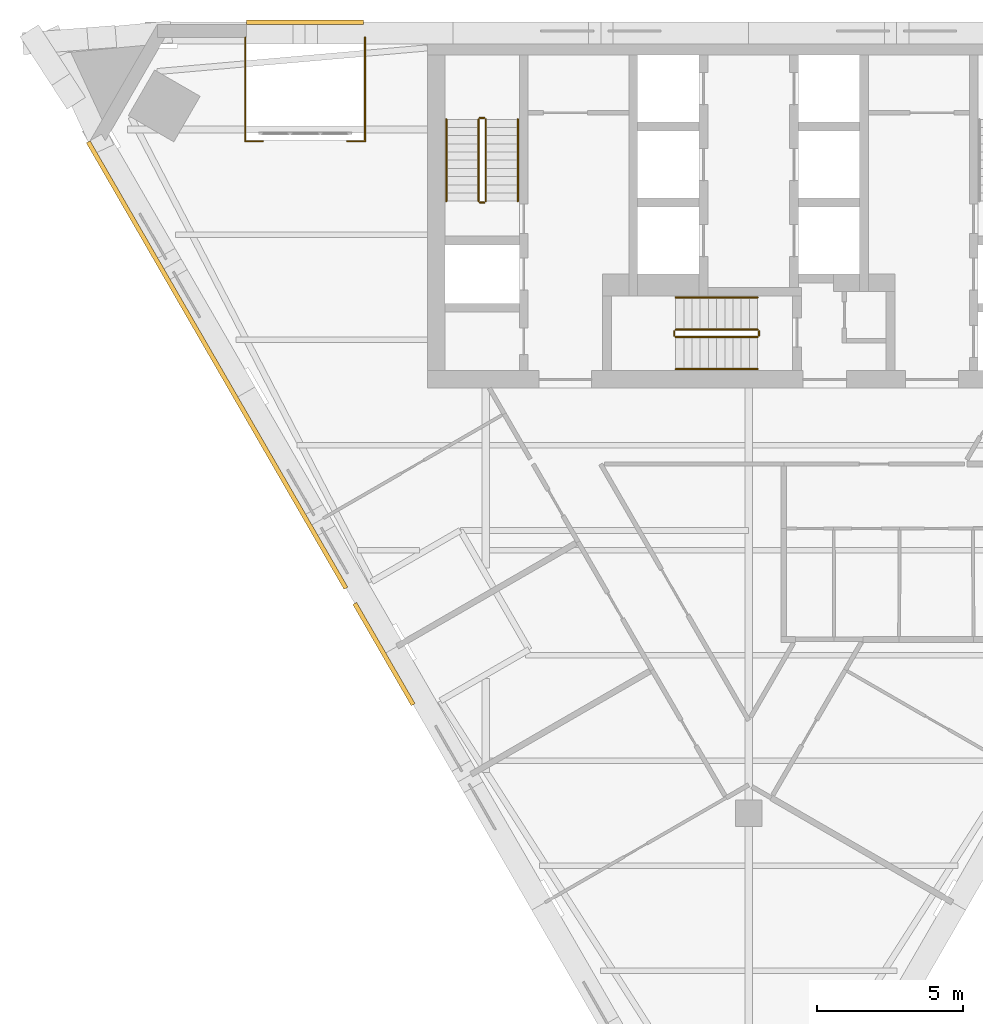
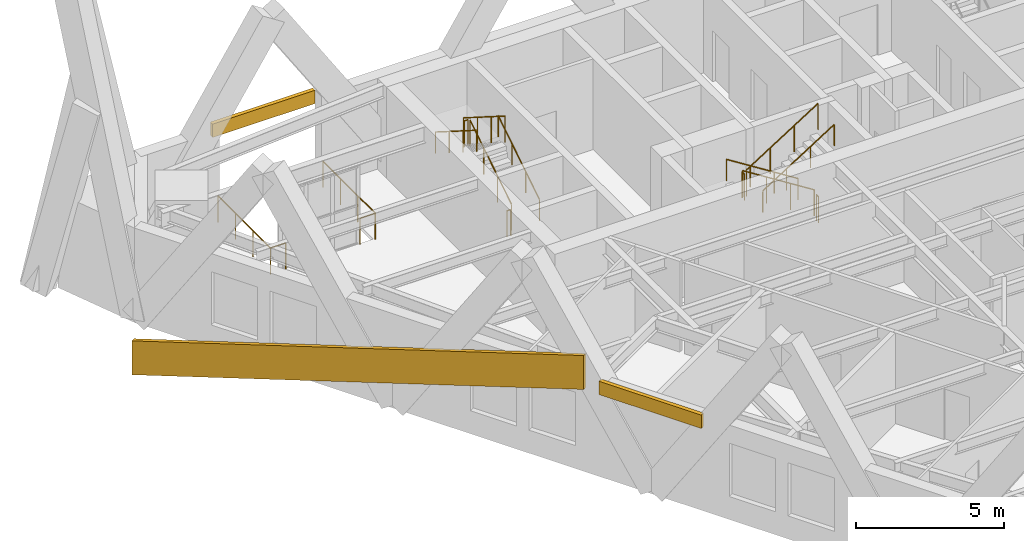
# One storey, part 8 of 9: 14 railings, 3 coverings.
"""IFC4 building model written with IfcOpenShell, lengths in metres."""

from ifc_helpers import new_model, si_unit, direction, frame, origin, origin_2d, place, context, subcontext, project, spatial, polyline, circle, outline, extrude, material, layer, layer_set, type_object, element, save


model = new_model("IFC4")

# Units and contexts
model_context = context("Model", 3, precision=1e-05, world=origin(), true_north=direction((0.0, 1.0)))
body_context = subcontext(model_context, "Body", "Model", "MODEL_VIEW")
ifc_project = project(units=[si_unit("LENGTHUNIT", "METRE"), si_unit("AREAUNIT", "SQUARE_METRE"), si_unit("VOLUMEUNIT", "CUBIC_METRE"), si_unit("PLANEANGLEUNIT", "RADIAN"), si_unit("MASSUNIT", "GRAM", prefix="KILO")], contexts=[model_context])

# Site, building, storey
site_placement = place(None, origin())
site = spatial("IfcSite", under=ifc_project, at=site_placement, CompositionType="ELEMENT")
building_placement = place(site_placement, origin())
building = spatial("IfcBuilding", under=site, at=building_placement, Name="Aloe Facet Convention Tower", CompositionType="ELEMENT")
storey_placement = place(building_placement, frame((0.0, 0.0, 144.199951171875)))
storey = spatial("IfcBuildingStorey", under=building, at=storey_placement, Name="L36", CompositionType="ELEMENT", Elevation=144.199951171875)

# Railings
ifc_material_1 = material(Name="Steel S355 balustrade", Category="steel")
railing_type_1 = type_object("IfcRailingType", Name="CR-RL-GUARD", PredefinedType="GUARDRAIL", material=ifc_material_1)
railing_1_placement = place(storey_placement, frame((71.0, 128.949951171875, 0.17724609375)))
element("IfcRailing", 1, at=railing_1_placement, inside=storey, type_object=railing_type_1, Name="L36 ST1 stair guard 1", PredefinedType="GUARDRAIL", context=body_context, shape_type="SweptSolid", body=[
    extrude(circle(Radius=0.02392578125, at=origin_2d()), frame((0.0, 0.0, 1.076171875), z_axis=(0.0, 0.844908973607, 0.534910110503), x_axis=(-1.0, 0.0, 0.0)), (0.0, 0.0, 1.0), 3.31396484375),
    extrude(circle(Radius=0.02099609375, at=origin_2d()), origin(), (0.0, 0.0, 1.0), 1.052001953125),
    extrude(circle(Radius=0.02099609375, at=origin_2d()), frame((0.0, 0.933349609375, 0.5908203125)), (0.0, 0.0, 1.0), 1.052001953125),
    extrude(circle(Radius=0.02099609375, at=origin_2d()), frame((0.0, 1.86669921875, 1.181884765625)), (0.0, 0.0, 1.0), 1.052001953125),
    extrude(circle(Radius=0.02099609375, at=origin_2d()), frame((0.0, 2.800048828125, 1.772705078125)), (0.0, 0.0, 1.0), 1.052001953125),
])
railing_2_placement = place(storey_placement, frame((70.949951171875, 131.800048828125, 1.949951171875)))
element("IfcRailing", 2, at=railing_2_placement, inside=storey, type_object=railing_type_1, Name="L36 ST1 stair guard 2", PredefinedType="GUARDRAIL", context=body_context, shape_type="SweptSolid", body=[
    extrude(circle(Radius=0.02392578125, at=origin_2d()), frame((0.0, 0.0, 1.076171875), z_axis=(-1.0, 0.0, 0.0), x_axis=(0.0, -1.0, 0.0)), (0.0, 0.0, 1.0), 0.14990234375),
    extrude(circle(Radius=0.02099609375, at=origin_2d()), origin(), (0.0, 0.0, 1.0), 1.052001953125),
    extrude(circle(Radius=0.02099609375, at=origin_2d()), frame((-0.14990234375, 0.0, 0.0)), (0.0, 0.0, 1.0), 1.052001953125),
])
railing_3_placement = place(storey_placement, frame((70.75, 131.75, 2.12744140625)))
element("IfcRailing", 3, at=railing_3_placement, inside=storey, type_object=railing_type_1, Name="L36 ST1 stair guard 3", PredefinedType="GUARDRAIL", context=body_context, shape_type="SweptSolid", body=[
    extrude(circle(Radius=0.02392578125, at=origin_2d()), frame((0.0, 0.0, 1.076171875), z_axis=(0.0, -0.844908973607, 0.534910110503), x_axis=(1.0, 0.0, 0.0)), (0.0, 0.0, 1.0), 3.31396484375),
    extrude(circle(Radius=0.02099609375, at=origin_2d()), origin(), (0.0, 0.0, 1.0), 1.052001953125),
    extrude(circle(Radius=0.02099609375, at=origin_2d()), frame((0.0, -0.933349609375, 0.5908203125)), (0.0, 0.0, 1.0), 1.052001953125),
    extrude(circle(Radius=0.02099609375, at=origin_2d()), frame((0.0, -1.86669921875, 1.181884765625)), (0.0, 0.0, 1.0), 1.052001953125),
    extrude(circle(Radius=0.02099609375, at=origin_2d()), frame((0.0, -2.800048828125, 1.772705078125)), (0.0, 0.0, 1.0), 1.052001953125),
])
railing_4_placement = place(storey_placement, frame((70.949951171875, 128.89990234375, 0.0)))
element("IfcRailing", 4, at=railing_4_placement, inside=storey, type_object=railing_type_1, Name="L36 ST1 stair guard 4", PredefinedType="GUARDRAIL", context=body_context, shape_type="SweptSolid", body=[
    extrude(circle(Radius=0.02392578125, at=origin_2d()), frame((0.0, 0.0, 1.076171875), z_axis=(-1.0, 0.0, 0.0), x_axis=(0.0, -1.0, 0.0)), (0.0, 0.0, 1.0), 0.14990234375),
    extrude(circle(Radius=0.02099609375, at=origin_2d()), origin(), (0.0, 0.0, 1.0), 1.052001953125),
    extrude(circle(Radius=0.02099609375, at=origin_2d()), frame((-0.14990234375, 0.0, 0.0)), (0.0, 0.0, 1.0), 1.052001953125),
])
railing_5_placement = place(storey_placement, frame((80.300048828125, 124.550048828125, 0.17724609375)))
element("IfcRailing", 5, at=railing_5_placement, inside=storey, type_object=railing_type_1, Name="L36 ST3 stair guard 1", PredefinedType="GUARDRAIL", context=body_context, shape_type="SweptSolid", body=[
    extrude(circle(Radius=0.02392578125, at=origin_2d()), frame((0.0, 0.0, 1.076171875), z_axis=(-0.844908973607, 0.0, 0.534910110503), x_axis=(0.0, -1.0, 0.0)), (0.0, 0.0, 1.0), 3.31396484375),
    extrude(circle(Radius=0.02099609375, at=origin_2d()), origin(), (0.0, 0.0, 1.0), 1.052001953125),
    extrude(circle(Radius=0.02099609375, at=origin_2d()), frame((-0.933349609375, 0.0, 0.5908203125)), (0.0, 0.0, 1.0), 1.052001953125),
    extrude(circle(Radius=0.02099609375, at=origin_2d()), frame((-1.86669921875, 0.0, 1.181884765625)), (0.0, 0.0, 1.0), 1.052001953125),
    extrude(circle(Radius=0.02099609375, at=origin_2d()), frame((-2.800048828125, 0.0, 1.772705078125)), (0.0, 0.0, 1.0), 1.052001953125),
])
railing_6_placement = place(storey_placement, frame((77.449951171875, 124.5, 1.949951171875)))
element("IfcRailing", 6, at=railing_6_placement, inside=storey, type_object=railing_type_1, Name="L36 ST3 stair guard 2", PredefinedType="GUARDRAIL", context=body_context, shape_type="SweptSolid", body=[
    extrude(circle(Radius=0.02392578125, at=origin_2d()), frame((0.0, 0.0, 1.076171875), z_axis=(0.0, -1.0, 0.0), x_axis=(1.0, 0.0, 0.0)), (0.0, 0.0, 1.0), 0.14990234375),
    extrude(circle(Radius=0.02099609375, at=origin_2d()), origin(), (0.0, 0.0, 1.0), 1.052001953125),
    extrude(circle(Radius=0.02099609375, at=origin_2d()), frame((0.0, -0.14990234375, 0.0)), (0.0, 0.0, 1.0), 1.052001953125),
])
railing_7_placement = place(storey_placement, frame((77.5, 124.300048828125, 2.12744140625)))
element("IfcRailing", 7, at=railing_7_placement, inside=storey, type_object=railing_type_1, Name="L36 ST3 stair guard 3", PredefinedType="GUARDRAIL", context=body_context, shape_type="SweptSolid", body=[
    extrude(circle(Radius=0.02392578125, at=origin_2d()), frame((0.0, 0.0, 1.076171875), z_axis=(0.844908973607, 0.0, 0.534910110503), x_axis=(0.0, 1.0, 0.0)), (0.0, 0.0, 1.0), 3.31396484375),
    extrude(circle(Radius=0.02099609375, at=origin_2d()), origin(), (0.0, 0.0, 1.0), 1.052001953125),
    extrude(circle(Radius=0.02099609375, at=origin_2d()), frame((0.933349609375, 0.0, 0.5908203125)), (0.0, 0.0, 1.0), 1.052001953125),
    extrude(circle(Radius=0.02099609375, at=origin_2d()), frame((1.86669921875, 0.0, 1.181884765625)), (0.0, 0.0, 1.0), 1.052001953125),
    extrude(circle(Radius=0.02099609375, at=origin_2d()), frame((2.800048828125, 0.0, 1.772705078125)), (0.0, 0.0, 1.0), 1.052001953125),
])
railing_8_placement = place(storey_placement, frame((80.35009765625, 124.5, 0.0)))
element("IfcRailing", 8, at=railing_8_placement, inside=storey, type_object=railing_type_1, Name="L36 ST3 stair guard 4", PredefinedType="GUARDRAIL", context=body_context, shape_type="SweptSolid", body=[
    extrude(circle(Radius=0.02392578125, at=origin_2d()), frame((0.0, 0.0, 1.076171875), z_axis=(0.0, -1.0, 0.0), x_axis=(1.0, 0.0, 0.0)), (0.0, 0.0, 1.0), 0.14990234375),
    extrude(circle(Radius=0.02099609375, at=origin_2d()), origin(), (0.0, 0.0, 1.0), 1.052001953125),
    extrude(circle(Radius=0.02099609375, at=origin_2d()), frame((0.0, -0.14990234375, 0.0)), (0.0, 0.0, 1.0), 1.052001953125),
])
ifc_material_2 = material(Name="Steel S355 handrail", Category="steel")
railing_type_2 = type_object("IfcRailingType", Name="CR-RL-HAND", PredefinedType="HANDRAIL", material=ifc_material_2)
railing_9_placement = place(storey_placement, frame((72.10009765625, 128.949951171875, 0.17724609375)))
element("IfcRailing", 9, at=railing_9_placement, inside=storey, type_object=railing_type_2, Name="L36 ST1 stair handrail 1", PredefinedType="HANDRAIL", context=body_context, shape_type="SweptSolid", body=[
    extrude(circle(Radius=0.02392578125, at=origin_2d()), frame((0.0, 0.0, 0.8759765625), z_axis=(0.0, 0.844908973607, 0.534910110503), x_axis=(-1.0, 0.0, 0.0)), (0.0, 0.0, 1.0), 3.31396484375),
    extrude(circle(Radius=0.02099609375, at=origin_2d()), origin(), (0.0, 0.0, 1.0), 0.851806640625),
    extrude(circle(Radius=0.02099609375, at=origin_2d()), frame((0.0, 0.933349609375, 0.5908203125)), (0.0, 0.0, 1.0), 0.851806640625),
    extrude(circle(Radius=0.02099609375, at=origin_2d()), frame((0.0, 1.86669921875, 1.181884765625)), (0.0, 0.0, 1.0), 0.851806640625),
    extrude(circle(Radius=0.02099609375, at=origin_2d()), frame((0.0, 2.800048828125, 1.772705078125)), (0.0, 0.0, 1.0), 0.851806640625),
])
railing_10_placement = place(storey_placement, frame((69.64990234375, 131.75, 2.12744140625)))
element("IfcRailing", 10, at=railing_10_placement, inside=storey, type_object=railing_type_2, Name="L36 ST1 stair handrail 2", PredefinedType="HANDRAIL", context=body_context, shape_type="SweptSolid", body=[
    extrude(circle(Radius=0.02392578125, at=origin_2d()), frame((0.0, 0.0, 0.8759765625), z_axis=(0.0, -0.844908973607, 0.534910110503), x_axis=(1.0, 0.0, 0.0)), (0.0, 0.0, 1.0), 3.31396484375),
    extrude(circle(Radius=0.02099609375, at=origin_2d()), origin(), (0.0, 0.0, 1.0), 0.851806640625),
    extrude(circle(Radius=0.02099609375, at=origin_2d()), frame((0.0, -0.933349609375, 0.5908203125)), (0.0, 0.0, 1.0), 0.851806640625),
    extrude(circle(Radius=0.02099609375, at=origin_2d()), frame((0.0, -1.86669921875, 1.181884765625)), (0.0, 0.0, 1.0), 0.851806640625),
    extrude(circle(Radius=0.02099609375, at=origin_2d()), frame((0.0, -2.800048828125, 1.772705078125)), (0.0, 0.0, 1.0), 0.851806640625),
])
railing_11_placement = place(storey_placement, frame((80.300048828125, 125.64990234375, 0.17724609375)))
element("IfcRailing", 11, at=railing_11_placement, inside=storey, type_object=railing_type_2, Name="L36 ST3 stair handrail 1", PredefinedType="HANDRAIL", context=body_context, shape_type="SweptSolid", body=[
    extrude(circle(Radius=0.02392578125, at=origin_2d()), frame((0.0, 0.0, 0.8759765625), z_axis=(-0.844908973607, 0.0, 0.534910110503), x_axis=(0.0, -1.0, 0.0)), (0.0, 0.0, 1.0), 3.31396484375),
    extrude(circle(Radius=0.02099609375, at=origin_2d()), origin(), (0.0, 0.0, 1.0), 0.851806640625),
    extrude(circle(Radius=0.02099609375, at=origin_2d()), frame((-0.933349609375, 0.0, 0.5908203125)), (0.0, 0.0, 1.0), 0.851806640625),
    extrude(circle(Radius=0.02099609375, at=origin_2d()), frame((-1.86669921875, 0.0, 1.181884765625)), (0.0, 0.0, 1.0), 0.851806640625),
    extrude(circle(Radius=0.02099609375, at=origin_2d()), frame((-2.800048828125, 0.0, 1.772705078125)), (0.0, 0.0, 1.0), 0.851806640625),
])
railing_12_placement = place(storey_placement, frame((77.5, 123.199951171875, 2.12744140625)))
element("IfcRailing", 12, at=railing_12_placement, inside=storey, type_object=railing_type_2, Name="L36 ST3 stair handrail 2", PredefinedType="HANDRAIL", context=body_context, shape_type="SweptSolid", body=[
    extrude(circle(Radius=0.02392578125, at=origin_2d()), frame((0.0, 0.0, 0.8759765625), z_axis=(0.844908973607, 0.0, 0.534910110503), x_axis=(0.0, 1.0, 0.0)), (0.0, 0.0, 1.0), 3.31396484375),
    extrude(circle(Radius=0.02099609375, at=origin_2d()), origin(), (0.0, 0.0, 1.0), 0.851806640625),
    extrude(circle(Radius=0.02099609375, at=origin_2d()), frame((0.933349609375, 0.0, 0.5908203125)), (0.0, 0.0, 1.0), 0.851806640625),
    extrude(circle(Radius=0.02099609375, at=origin_2d()), frame((1.86669921875, 0.0, 1.181884765625)), (0.0, 0.0, 1.0), 0.851806640625),
    extrude(circle(Radius=0.02099609375, at=origin_2d()), frame((2.800048828125, 0.0, 1.772705078125)), (0.0, 0.0, 1.0), 0.851806640625),
])

# Coverings
ifc_material_3 = material(Name="Bronze oxide fascia sheet")
ifc_layer = layer(ifc_material_3, 0.14990234375)
ifc_layer_set = layer_set([ifc_layer], Name="EV-FASCIA-TERR")
covering_type = type_object("IfcCoveringType", Name="EV-FASCIA-TERR", PredefinedType="CLADDING", material=ifc_layer_set)
covering_1_placement = place(storey_placement, frame((0.0, 0.0, 3.199951171875)))
element("IfcCovering", 13, at=covering_1_placement, inside=storey, type_object=covering_type, Name="Terrace fascia T07 head", PredefinedType="CLADDING", context=body_context, shape_type="SweptSolid", body=[
    extrude(outline(polyline([(66.817626953125, 135.14990234375), (62.817626953125, 135.14990234375), (62.817626953125, 135.0), (66.817626953125, 135.0), (66.817626953125, 135.14990234375)])), origin(), (0.0, 0.0, 1.0), 0.550048828125),
])
covering_2_placement = place(storey_placement, frame((0.0, 0.0, 3.35009765625)))
element("IfcCovering", 14, at=covering_2_placement, inside=storey, type_object=covering_type, Name="Terrace fascia T08 sill", PredefinedType="CLADDING", context=body_context, shape_type="SweptSolid", body=[
    extrude(outline(polyline([(66.448486328125, 115.142333984375), (68.448486328125, 111.67822265625), (68.578369140625, 111.753173828125), (66.578369140625, 115.21728515625), (66.448486328125, 115.142333984375)])), origin(), (0.0, 0.0, 1.0), 0.550048828125),
])
covering_3_placement = place(storey_placement, frame((57.326904296875, 130.941162109375, -2.220703125), z_axis=(-0.866024740158, -0.500001149433, 0.0), x_axis=(0.476797713586, -0.825835333548, 0.301097894684)))
element("IfcCovering", 15, at=covering_3_placement, inside=storey, type_object=covering_type, Name="Spiral ribbon zone 3 part 5", PredefinedType="CLADDING", context=body_context, shape_type="SweptSolid", body=[
    extrude(outline(polyline([(0.0, 0.0), (18.501626479653005, 0.0), (18.92313412811908, 1.3349374046453804), (0.42158115869426954, 1.3351702154937661), (0.0, 0.0)])), origin(), (0.0, 0.0, -1.0), 0.14990234375),
])

# Railings
ifc_material_4 = material(Name="Steel S355, bronze oxide finish", Category="steel")
railing_type_3 = type_object("IfcRailingType", Name="EV-GUARD-TERR", PredefinedType="GUARDRAIL", material=ifc_material_4)
railing_13_placement = place(storey_placement, frame((66.86767578125, 134.550048828125, 0.0)))
element("IfcRailing", 16, at=railing_13_placement, inside=storey, type_object=railing_type_3, Name="GUARD T07-1", PredefinedType="GUARDRAIL", context=body_context, shape_type="SweptSolid", body=[
    extrude(circle(Radius=0.02392578125, at=origin_2d()), frame((0.0, 0.0, 1.076171875), z_axis=(0.0, -1.0, 0.0), x_axis=(1.0, 0.0, 0.0)), (0.0, 0.0, 1.0), 3.550048828125),
    extrude(circle(Radius=0.02392578125, at=origin_2d()), frame((0.0, -3.550048828125, 1.076171875), z_axis=(-1.0, 0.0, 0.0), x_axis=(0.0, -1.0, 0.0)), (0.0, 0.0, 1.0), 0.60009765625),
    extrude(circle(Radius=0.02099609375, at=origin_2d()), origin(), (0.0, 0.0, 1.0), 1.052001953125),
    extrude(circle(Radius=0.02099609375, at=origin_2d()), frame((0.0, -1.183349609375, 0.0)), (0.0, 0.0, 1.0), 1.052001953125),
    extrude(circle(Radius=0.02099609375, at=origin_2d()), frame((0.0, -2.36669921875, 0.0)), (0.0, 0.0, 1.0), 1.052001953125),
    extrude(circle(Radius=0.02099609375, at=origin_2d()), frame((0.0, -3.550048828125, 0.0)), (0.0, 0.0, 1.0), 1.052001953125),
    extrude(circle(Radius=0.02099609375, at=origin_2d()), frame((-0.60009765625, -3.550048828125, 0.0)), (0.0, 0.0, 1.0), 1.052001953125),
])
railing_14_placement = place(storey_placement, frame((62.767578125, 134.550048828125, 0.0)))
element("IfcRailing", 17, at=railing_14_placement, inside=storey, type_object=railing_type_3, Name="GUARD T07-2", PredefinedType="GUARDRAIL", context=body_context, shape_type="SweptSolid", body=[
    extrude(circle(Radius=0.02392578125, at=origin_2d()), frame((0.0, 0.0, 1.076171875), z_axis=(0.0, -1.0, 0.0), x_axis=(1.0, 0.0, 0.0)), (0.0, 0.0, 1.0), 3.550048828125),
    extrude(circle(Radius=0.02392578125, at=origin_2d()), frame((0.0, -3.550048828125, 1.076171875), z_axis=(1.0, 0.0, 0.0), x_axis=(0.0, 1.0, 0.0)), (0.0, 0.0, 1.0), 0.60009765625),
    extrude(circle(Radius=0.02099609375, at=origin_2d()), origin(), (0.0, 0.0, 1.0), 1.052001953125),
    extrude(circle(Radius=0.02099609375, at=origin_2d()), frame((0.0, -1.183349609375, 0.0)), (0.0, 0.0, 1.0), 1.052001953125),
    extrude(circle(Radius=0.02099609375, at=origin_2d()), frame((0.0, -2.36669921875, 0.0)), (0.0, 0.0, 1.0), 1.052001953125),
    extrude(circle(Radius=0.02099609375, at=origin_2d()), frame((0.0, -3.550048828125, 0.0)), (0.0, 0.0, 1.0), 1.052001953125),
    extrude(circle(Radius=0.02099609375, at=origin_2d()), frame((0.60009765625, -3.550048828125, 0.0)), (0.0, 0.0, 1.0), 1.052001953125),
])

save(model, "model.ifc")
